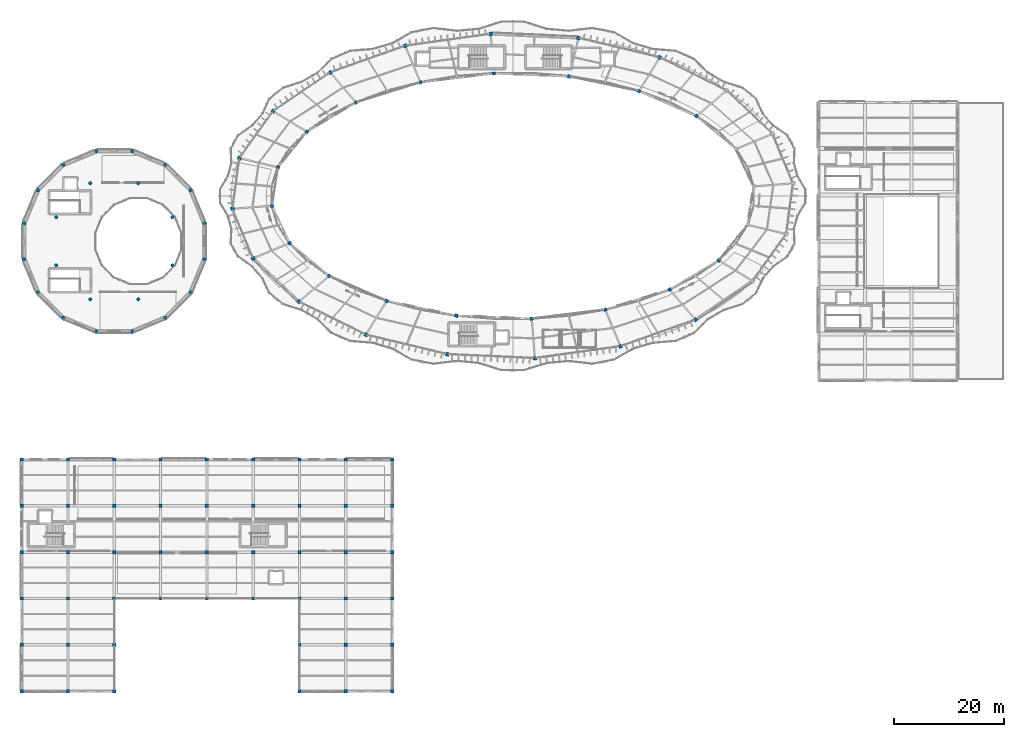
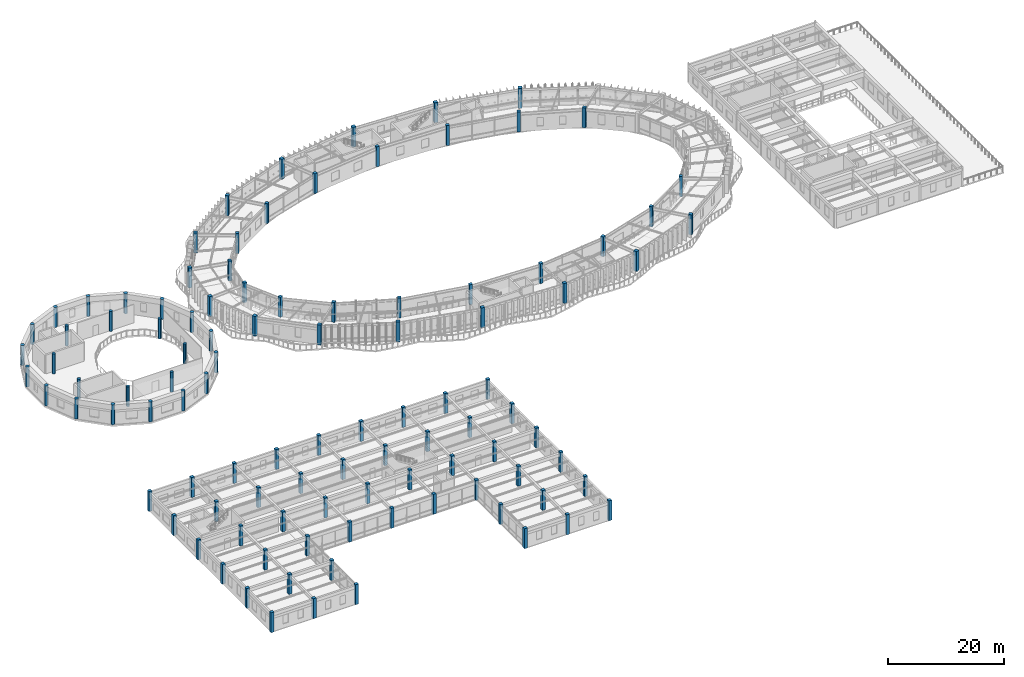
# One storey, part 1 of 114: 104 columns.
"""IFC4 building model written with IfcOpenShell, lengths in metres."""

from ifc_helpers import new_model, si_unit, direction, frame, origin, origin_2d, place, context, subcontext, project, spatial, rectangle, circle, extrude, material, material_profile, profile_set, type_object, element, save


model = new_model("IFC4")

# Units and contexts
model_context = context("Model", 3, precision=1e-05, world=origin(), true_north=direction((0.0, 1.0)))
body_context = subcontext(model_context, "Body", "Model", "MODEL_VIEW")
ifc_project = project(units=[si_unit("LENGTHUNIT", "METRE"), si_unit("AREAUNIT", "SQUARE_METRE"), si_unit("VOLUMEUNIT", "CUBIC_METRE"), si_unit("PLANEANGLEUNIT", "RADIAN"), si_unit("MASSUNIT", "GRAM", prefix="KILO"), si_unit("THERMODYNAMICTEMPERATUREUNIT", "KELVIN"), si_unit("POWERUNIT", "WATT")], contexts=[model_context])

# Site, building, storey
site_placement = place(None, origin())
site = spatial("IfcSite", under=ifc_project, at=site_placement, CompositionType="ELEMENT")
building_placement = place(site_placement, origin())
building = spatial("IfcBuilding", under=site, at=building_placement, Name="Darbajah Civic Hall", CompositionType="ELEMENT")
storey_placement = place(building_placement, frame((0.0, 0.0, 13.800048828125)))
storey = spatial("IfcBuildingStorey", under=building, at=storey_placement, Name="L03", CompositionType="ELEMENT", Elevation=13.800048828125)

# Columns
ifc_material = material(Name="Concrete C45/55", Category="concrete")
ifc_material_profile_1 = material_profile(ifc_material, rectangle(XDim=0.60009765625, YDim=0.60009765625, at=origin_2d()), Name="RC COL 600x600")
ifc_profile_set_1 = profile_set([ifc_material_profile_1], Name="Concrete C45/55")
column_type_1 = type_object("IfcColumnType", Name="RC COL 600x600", PredefinedType="COLUMN", material=ifc_profile_set_1)
for number, where, z_axis, x_axis, name in (
    (1, (122.40576171875, 104.28271484375, 0.0), (0.0, 0.0, 1.0), (0.7604059656, 0.64944804833, 0.0), "L03 column C-RC600"),
    (2, (111.9853515625, 108.81396484375, 0.0), (0.0, 0.0, 1.0), (0.522498564716, 0.852640164354, 0.0), "L03 column C-RC600"),
    (3, (99.324951171875, 111.48388671875, 0.0), (0.0, 0.0, 1.0), (0.233445363856, 0.972369920398, 0.0), "L03 column C-RC600"),
    (4, (85.66357421875, 112.03125, 0.0), (0.0, 0.0, 1.0), (-0.078459095728, 0.996917333733, 0.0), "L03 column C-RC600"),
    (5, (72.33837890625, 110.402587890625, 0.0), (0.0, 0.0, 1.0), (-0.382683432365, 0.923879532511, 0.0), "L03 column C-RC600"),
    (6, (60.654296875, 106.757080078125, 0.0), (0.0, 0.0, 1.0), (-0.64944804833, 0.7604059656, 0.0), "L03 column C-RC600"),
    (7, (51.75439453125, 101.45166015625, 0.0), (0.0, 0.0, 1.0), (-0.852640164354, 0.522498564716, 0.0), "L03 column C-RC600"),
    (8, (46.51025390625, 95.005859375, 0.0), (0.0, 0.0, 1.0), (-0.972369920398, 0.233445363856, 0.0), "L03 column C-RC600"),
    (9, (45.43505859375, 88.05029296875, 0.0), (0.0, 0.0, 1.0), (-0.996917333733, -0.078459095728, 0.0), "L03 column C-RC600"),
    (10, (48.634033203125, 81.26611328125, 0.0), (0.0, 0.0, 1.0), (-0.923879532511, -0.382683432365, 0.0), "L03 column C-RC600"),
    (11, (55.794189453125, 75.3173828125, 0.0), (0.0, 0.0, 1.0), (-0.7604059656, -0.64944804833, 0.0), "L03 column C-RC600"),
    (12, (66.214599609375, 70.7861328125, 0.0), (0.0, 0.0, 1.0), (-0.522498564716, -0.852640164354, 0.0), "L03 column C-RC600"),
    (13, (78.875, 68.1162109375, 0.0), (0.0, 0.0, 1.0), (-0.233445363856, -0.972369920398, 0.0), "L03 column C-RC600"),
    (14, (92.53662109375, 67.568603515625, 0.0), (0.0, 0.0, 1.0), (0.078459095728, -0.996917333733, 0.0), "L03 column C-RC600"),
    (15, (105.861572265625, 69.197509765625, 0.0), (0.0, 0.0, 1.0), (0.382683432365, -0.923879532511, 0.0), "L03 column C-RC600"),
    (16, (117.5458984375, 72.843017578125, 0.0), (0.0, 0.0, 1.0), (0.64944804833, -0.7604059656, 0.0), "L03 column C-RC600"),
    (17, (126.445556640625, 78.148193359375, 0.0), (0.0, 0.0, 1.0), (0.852640164354, -0.522498564716, 0.0), "L03 column C-RC600"),
    (18, (0.0, 0.0, 0.0), (0.0, 0.0, 1.0), (1.0, 0.0, 0.0), "L03 column C-RC600"),
    (19, (0.0, 8.39990234375, 0.0), (0.0, 0.0, 1.0), (1.0, 0.0, 0.0), "L03 column C-RC600"),
    (20, (0.0, 16.800048828125, 0.0), (0.0, 0.0, 1.0), (1.0, 0.0, 0.0), "L03 column C-RC600"),
    (21, (0.0, 25.199951171875, 0.0), (0.0, 0.0, 1.0), (1.0, 0.0, 0.0), "L03 column C-RC600"),
    (22, (0.0, 33.60009765625, 0.0), (0.0, 0.0, 1.0), (1.0, 0.0, 0.0), "L03 column C-RC600"),
    (23, (0.0, 42.0, 0.0), (0.0, 0.0, 1.0), (1.0, 0.0, 0.0), "L03 column C-RC600"),
    (24, (8.39990234375, 0.0, 0.0), (0.0, 0.0, 1.0), (1.0, 0.0, 0.0), "L03 column C-RC600"),
    (25, (8.39990234375, 8.39990234375, 0.0), (0.0, 0.0, 1.0), (1.0, 0.0, 0.0), "L03 column C-RC600"),
    (26, (8.39990234375, 16.800048828125, 0.0), (0.0, 0.0, 1.0), (1.0, 0.0, 0.0), "L03 column C-RC600"),
    (27, (8.39990234375, 25.199951171875, 0.0), (0.0, 0.0, 1.0), (1.0, 0.0, 0.0), "L03 column C-RC600"),
    (28, (8.39990234375, 33.60009765625, 0.0), (0.0, 0.0, 1.0), (1.0, 0.0, 0.0), "L03 column C-RC600"),
    (29, (8.39990234375, 42.0, 0.0), (0.0, 0.0, 1.0), (1.0, 0.0, 0.0), "L03 column C-RC600"),
    (30, (16.800048828125, 0.0, 0.0), (0.0, 0.0, 1.0), (1.0, 0.0, 0.0), "L03 column C-RC600"),
    (31, (16.800048828125, 8.39990234375, 0.0), (0.0, 0.0, 1.0), (1.0, 0.0, 0.0), "L03 column C-RC600"),
    (32, (16.800048828125, 16.800048828125, 0.0), (0.0, 0.0, 1.0), (1.0, 0.0, 0.0), "L03 column C-RC600"),
    (33, (16.800048828125, 25.199951171875, 0.0), (0.0, 0.0, 1.0), (1.0, 0.0, 0.0), "L03 column C-RC600"),
    (34, (16.800048828125, 33.60009765625, 0.0), (0.0, 0.0, 1.0), (1.0, 0.0, 0.0), "L03 column C-RC600"),
    (35, (16.800048828125, 42.0, 0.0), (0.0, 0.0, 1.0), (1.0, 0.0, 0.0), "L03 column C-RC600"),
    (36, (25.199951171875, 16.800048828125, 0.0), (0.0, 0.0, 1.0), (1.0, 0.0, 0.0), "L03 column C-RC600"),
    (37, (25.199951171875, 25.199951171875, 0.0), (0.0, 0.0, 1.0), (1.0, 0.0, 0.0), "L03 column C-RC600"),
    (38, (25.199951171875, 33.60009765625, 0.0), (0.0, 0.0, 1.0), (1.0, 0.0, 0.0), "L03 column C-RC600"),
    (39, (25.199951171875, 42.0, 0.0), (0.0, 0.0, 1.0), (1.0, 0.0, 0.0), "L03 column C-RC600"),
    (40, (33.60009765625, 16.800048828125, 0.0), (0.0, 0.0, 1.0), (1.0, 0.0, 0.0), "L03 column C-RC600"),
    (41, (33.60009765625, 25.199951171875, 0.0), (0.0, 0.0, 1.0), (1.0, 0.0, 0.0), "L03 column C-RC600"),
    (42, (33.60009765625, 33.60009765625, 0.0), (0.0, 0.0, 1.0), (1.0, 0.0, 0.0), "L03 column C-RC600"),
    (43, (33.60009765625, 42.0, 0.0), (0.0, 0.0, 1.0), (1.0, 0.0, 0.0), "L03 column C-RC600"),
    (44, (42.0, 16.800048828125, 0.0), (0.0, 0.0, 1.0), (1.0, 0.0, 0.0), "L03 column C-RC600"),
    (45, (42.0, 25.199951171875, 0.0), (0.0, 0.0, 1.0), (1.0, 0.0, 0.0), "L03 column C-RC600"),
    (46, (42.0, 33.60009765625, 0.0), (0.0, 0.0, 1.0), (1.0, 0.0, 0.0), "L03 column C-RC600"),
    (47, (42.0, 42.0, 0.0), (0.0, 0.0, 1.0), (1.0, 0.0, 0.0), "L03 column C-RC600"),
    (48, (50.39990234375, 0.0, 0.0), (0.0, 0.0, 1.0), (1.0, 0.0, 0.0), "L03 column C-RC600"),
    (49, (50.39990234375, 8.39990234375, 0.0), (0.0, 0.0, 1.0), (1.0, 0.0, 0.0), "L03 column C-RC600"),
    (50, (50.39990234375, 16.800048828125, 0.0), (0.0, 0.0, 1.0), (1.0, 0.0, 0.0), "L03 column C-RC600"),
    (51, (50.39990234375, 25.199951171875, 0.0), (0.0, 0.0, 1.0), (1.0, 0.0, 0.0), "L03 column C-RC600"),
    (52, (50.39990234375, 33.60009765625, 0.0), (0.0, 0.0, 1.0), (1.0, 0.0, 0.0), "L03 column C-RC600"),
    (53, (50.39990234375, 42.0, 0.0), (0.0, 0.0, 1.0), (1.0, 0.0, 0.0), "L03 column C-RC600"),
    (54, (58.800048828125, 0.0, 0.0), (0.0, 0.0, 1.0), (1.0, 0.0, 0.0), "L03 column C-RC600"),
    (55, (58.800048828125, 8.39990234375, 0.0), (0.0, 0.0, 1.0), (1.0, 0.0, 0.0), "L03 column C-RC600"),
    (56, (58.800048828125, 16.800048828125, 0.0), (0.0, 0.0, 1.0), (1.0, 0.0, 0.0), "L03 column C-RC600"),
    (57, (58.800048828125, 25.199951171875, 0.0), (0.0, 0.0, 1.0), (1.0, 0.0, 0.0), "L03 column C-RC600"),
    (58, (58.800048828125, 33.60009765625, 0.0), (0.0, 0.0, 1.0), (1.0, 0.0, 0.0), "L03 column C-RC600"),
    (59, (58.800048828125, 42.0, 0.0), (0.0, 0.0, 1.0), (1.0, 0.0, 0.0), "L03 column C-RC600"),
    (60, (67.199951171875, 0.0, 0.0), (0.0, 0.0, 1.0), (1.0, 0.0, 0.0), "L03 column C-RC600"),
    (61, (67.199951171875, 8.39990234375, 0.0), (0.0, 0.0, 1.0), (1.0, 0.0, 0.0), "L03 column C-RC600"),
    (62, (67.199951171875, 16.800048828125, 0.0), (0.0, 0.0, 1.0), (1.0, 0.0, 0.0), "L03 column C-RC600"),
    (63, (67.199951171875, 25.199951171875, 0.0), (0.0, 0.0, 1.0), (1.0, 0.0, 0.0), "L03 column C-RC600"),
    (64, (67.199951171875, 33.60009765625, 0.0), (0.0, 0.0, 1.0), (1.0, 0.0, 0.0), "L03 column C-RC600"),
    (65, (67.199951171875, 42.0, 0.0), (0.0, 0.0, 1.0), (1.0, 0.0, 0.0), "L03 column C-RC600"),
):
    element("IfcColumn", number, at=place(storey_placement, frame(where, z_axis=z_axis, x_axis=x_axis)), inside=storey, type_object=column_type_1, Name=name, PredefinedType="COLUMN", context=body_context, shape_type="SweptSolid", body=[
        extrude(rectangle(XDim=0.60009765625, YDim=0.60009765625, at=origin_2d()), origin(), (0.0, 0.0, 1.0), 4.199951171875),
    ])
ifc_material_profile_2 = material_profile(ifc_material, rectangle(XDim=0.64990234375, YDim=0.64990234375, at=origin_2d()), Name="RC COL 650x650")
ifc_profile_set_2 = profile_set([ifc_material_profile_2], Name="Concrete C45/55")
column_type_2 = type_object("IfcColumnType", Name="RC COL 650x650", PredefinedType="COLUMN", material=ifc_profile_set_2)
for number, where, z_axis, x_axis, name in (
    (66, (115.747314453125, 114.952880859375, 0.0), (0.0, 0.0, 1.0), (0.522498564716, 0.852640164354, 0.0), "L03 column C-RC650"),
    (67, (101.005615234375, 118.48486328125, 0.0), (0.0, 0.0, 1.0), (0.233445363856, 0.972369920398, 0.0), "L03 column C-RC650"),
    (68, (85.0986328125, 119.208984375, 0.0), (0.0, 0.0, 1.0), (-0.078459095728, 0.996917333733, 0.0), "L03 column C-RC650"),
    (69, (69.5830078125, 117.054443359375, 0.0), (0.0, 0.0, 1.0), (-0.382683432365, 0.923879532511, 0.0), "L03 column C-RC650"),
    (70, (55.97802734375, 112.23193359375, 0.0), (0.0, 0.0, 1.0), (-0.64944804833, 0.7604059656, 0.0), "L03 column C-RC650"),
    (71, (45.615478515625, 105.213623046875, 0.0), (0.0, 0.0, 1.0), (-0.852640164354, 0.522498564716, 0.0), "L03 column C-RC650"),
    (72, (39.509033203125, 96.6865234375, 0.0), (0.0, 0.0, 1.0), (-0.972369920398, 0.233445363856, 0.0), "L03 column C-RC650"),
    (73, (38.257080078125, 87.485595703125, 0.0), (0.0, 0.0, 1.0), (-0.996917333733, -0.078459095728, 0.0), "L03 column C-RC650"),
    (74, (41.982177734375, 78.5107421875, 0.0), (0.0, 0.0, 1.0), (-0.923879532511, -0.382683432365, 0.0), "L03 column C-RC650"),
    (75, (50.3193359375, 70.641357421875, 0.0), (0.0, 0.0, 1.0), (-0.7604059656, -0.64944804833, 0.0), "L03 column C-RC650"),
    (76, (62.45263671875, 64.647216796875, 0.0), (0.0, 0.0, 1.0), (-0.522498564716, -0.852640164354, 0.0), "L03 column C-RC650"),
    (77, (77.1943359375, 61.114990234375, 0.0), (0.0, 0.0, 1.0), (-0.233445363856, -0.972369920398, 0.0), "L03 column C-RC650"),
    (78, (93.101318359375, 60.390869140625, 0.0), (0.0, 0.0, 1.0), (0.078459095728, -0.996917333733, 0.0), "L03 column C-RC650"),
    (79, (108.616943359375, 62.545654296875, 0.0), (0.0, 0.0, 1.0), (0.382683432365, -0.923879532511, 0.0), "L03 column C-RC650"),
    (80, (122.221923828125, 67.367919921875, 0.0), (0.0, 0.0, 1.0), (0.64944804833, -0.7604059656, 0.0), "L03 column C-RC650"),
):
    element("IfcColumn", number, at=place(storey_placement, frame(where, z_axis=z_axis, x_axis=x_axis)), inside=storey, type_object=column_type_2, Name=name, PredefinedType="COLUMN", context=body_context, shape_type="SweptSolid", body=[
        extrude(rectangle(XDim=0.64990234375, YDim=0.64990234375, at=origin_2d()), origin(), (0.0, 0.0, 1.0), 4.199951171875),
    ])
ifc_material_profile_3 = material_profile(ifc_material, circle(Radius=0.300048828125, at=origin_2d()), Name="RC COL D600")
ifc_profile_set_3 = profile_set([ifc_material_profile_3], Name="Concrete C45/55")
column_type_3 = type_object("IfcColumnType", Name="RC COL D600", PredefinedType="COLUMN", material=ifc_profile_set_3)
for number, where, z_axis, x_axis, name in (
    (81, (27.332275390625, 85.962646484375, 0.0), (0.0, 0.0, 1.0), (1.0, 0.0, 0.0), "L03 column C-RCD600"),
    (82, (21.16259765625, 92.132080078125, 0.0), (0.0, 0.0, 1.0), (1.0, 0.0, 0.0), "L03 column C-RCD600"),
    (83, (12.4375, 92.132080078125, 0.0), (0.0, 0.0, 1.0), (1.0, 0.0, 0.0), "L03 column C-RCD600"),
    (84, (6.267822265625, 85.962646484375, 0.0), (0.0, 0.0, 1.0), (1.0, 0.0, 0.0), "L03 column C-RCD600"),
    (85, (6.267822265625, 77.2373046875, 0.0), (0.0, 0.0, 1.0), (1.0, 0.0, 0.0), "L03 column C-RCD600"),
    (86, (12.4375, 71.06787109375, 0.0), (0.0, 0.0, 1.0), (1.0, 0.0, 0.0), "L03 column C-RCD600"),
    (87, (21.16259765625, 71.06787109375, 0.0), (0.0, 0.0, 1.0), (1.0, 0.0, 0.0), "L03 column C-RCD600"),
    (88, (27.332275390625, 77.2373046875, 0.0), (0.0, 0.0, 1.0), (1.0, 0.0, 0.0), "L03 column C-RCD600"),
):
    element("IfcColumn", number, at=place(storey_placement, frame(where, z_axis=z_axis, x_axis=x_axis)), inside=storey, type_object=column_type_3, Name=name, PredefinedType="COLUMN", context=body_context, shape_type="SweptSolid", body=[
        extrude(circle(Radius=0.300048828125, at=origin_2d()), origin(), (0.0, 0.0, 1.0), 4.199951171875),
    ])
ifc_material_profile_4 = material_profile(ifc_material, circle(Radius=0.35009765625, at=origin_2d()), Name="RC COL D700")
ifc_profile_set_4 = profile_set([ifc_material_profile_4], Name="Concrete C45/55")
column_type_4 = type_object("IfcColumnType", Name="RC COL D700", PredefinedType="COLUMN", material=ifc_profile_set_4)
for number, where, z_axis, x_axis, name in (
    (89, (33.179931640625, 84.858154296875, 0.0), (0.0, 0.0, 1.0), (1.0, 0.0, 0.0), "L03 column C-RCD700"),
    (90, (30.686279296875, 90.87841796875, 0.0), (0.0, 0.0, 1.0), (1.0, 0.0, 0.0), "L03 column C-RCD700"),
    (91, (26.07861328125, 95.486328125, 0.0), (0.0, 0.0, 1.0), (1.0, 0.0, 0.0), "L03 column C-RCD700"),
    (92, (20.05810546875, 97.97998046875, 0.0), (0.0, 0.0, 1.0), (1.0, 0.0, 0.0), "L03 column C-RCD700"),
    (93, (13.541748046875, 97.97998046875, 0.0), (0.0, 0.0, 1.0), (1.0, 0.0, 0.0), "L03 column C-RCD700"),
    (94, (7.521484375, 95.486328125, 0.0), (0.0, 0.0, 1.0), (1.0, 0.0, 0.0), "L03 column C-RCD700"),
    (95, (2.913818359375, 90.87841796875, 0.0), (0.0, 0.0, 1.0), (1.0, 0.0, 0.0), "L03 column C-RCD700"),
    (96, (0.419921875, 84.858154296875, 0.0), (0.0, 0.0, 1.0), (1.0, 0.0, 0.0), "L03 column C-RCD700"),
    (97, (0.419921875, 78.341796875, 0.0), (0.0, 0.0, 1.0), (1.0, 0.0, 0.0), "L03 column C-RCD700"),
    (98, (2.913818359375, 72.321533203125, 0.0), (0.0, 0.0, 1.0), (1.0, 0.0, 0.0), "L03 column C-RCD700"),
    (99, (7.521484375, 67.713623046875, 0.0), (0.0, 0.0, 1.0), (1.0, 0.0, 0.0), "L03 column C-RCD700"),
    (100, (13.541748046875, 65.219970703125, 0.0), (0.0, 0.0, 1.0), (1.0, 0.0, 0.0), "L03 column C-RCD700"),
    (101, (20.05810546875, 65.219970703125, 0.0), (0.0, 0.0, 1.0), (1.0, 0.0, 0.0), "L03 column C-RCD700"),
    (102, (26.07861328125, 67.713623046875, 0.0), (0.0, 0.0, 1.0), (1.0, 0.0, 0.0), "L03 column C-RCD700"),
    (103, (30.686279296875, 72.321533203125, 0.0), (0.0, 0.0, 1.0), (1.0, 0.0, 0.0), "L03 column C-RCD700"),
    (104, (33.179931640625, 78.341796875, 0.0), (0.0, 0.0, 1.0), (1.0, 0.0, 0.0), "L03 column C-RCD700"),
):
    element("IfcColumn", number, at=place(storey_placement, frame(where, z_axis=z_axis, x_axis=x_axis)), inside=storey, type_object=column_type_4, Name=name, PredefinedType="COLUMN", context=body_context, shape_type="SweptSolid", body=[
        extrude(circle(Radius=0.35009765625, at=origin_2d()), origin(), (0.0, 0.0, 1.0), 4.199951171875),
    ])

save(model, "model.ifc")
